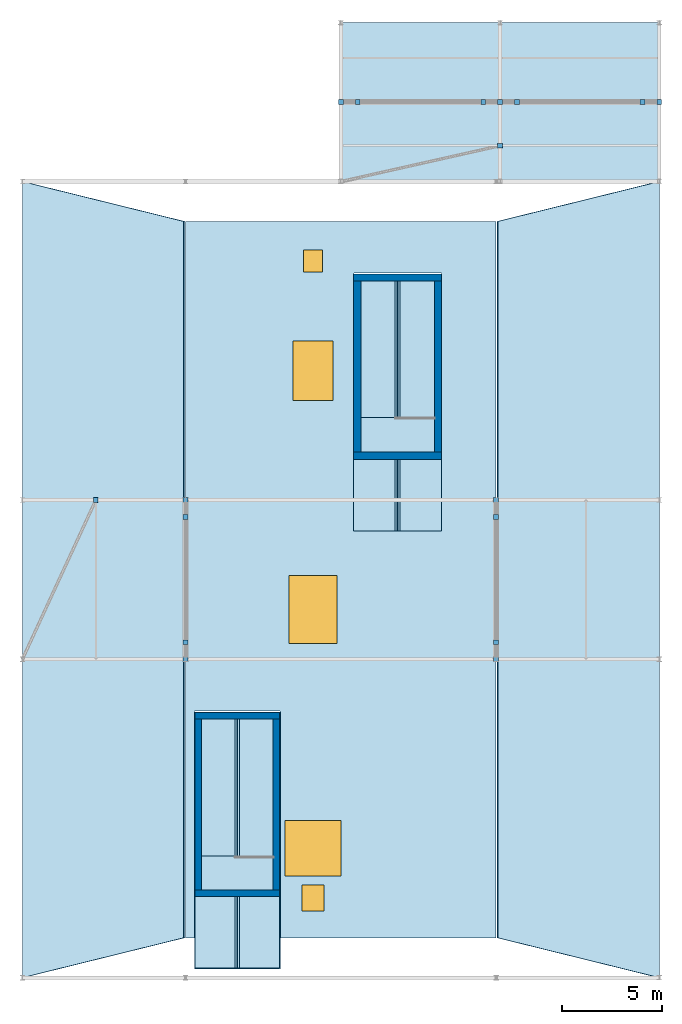
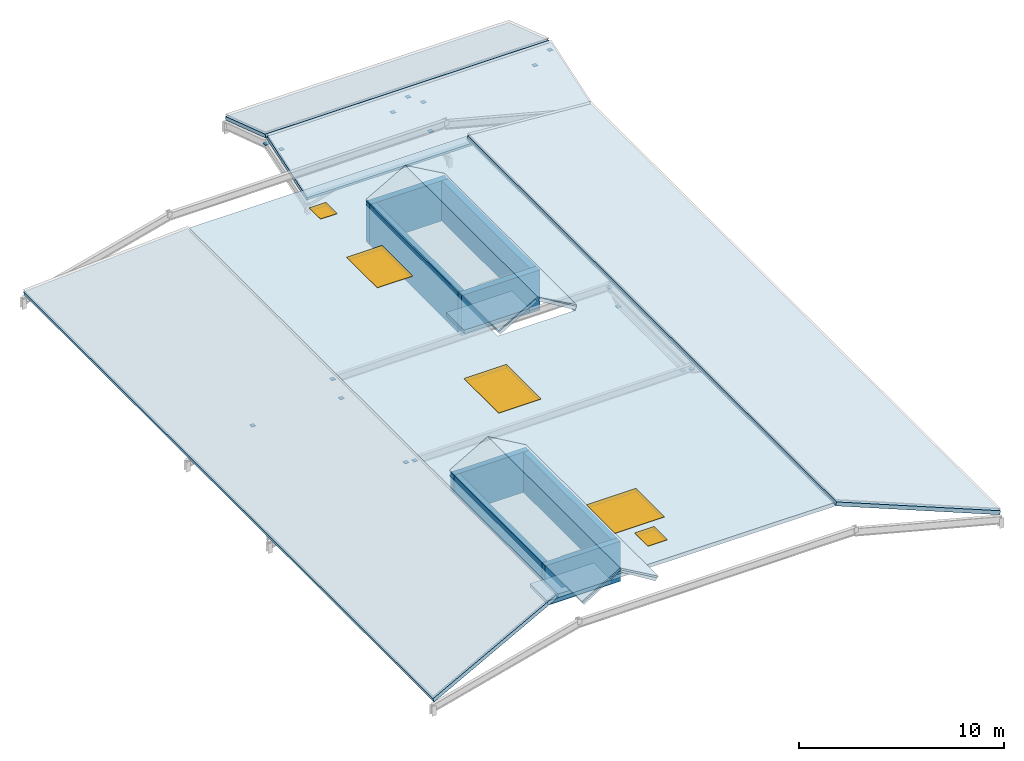
"""IFC4 building model written with IfcOpenShell, lengths in metres."""

from ifc_helpers import new_model, si_unit, direction, frame, frame_2d, origin, origin_2d, place, context, subcontext, project, spatial, polyline, rectangle, outline, extrude, material, layer, layer_set, type_object, element, fill, save


model = new_model("IFC4")

# Units and contexts
model_context = context("Model", 3, precision=1e-05, world=origin(), true_north=direction((0.0, 1.0)))
body_context = subcontext(model_context, "Body", "Model", "MODEL_VIEW")
ifc_project = project(units=[si_unit("LENGTHUNIT", "METRE"), si_unit("AREAUNIT", "SQUARE_METRE"), si_unit("VOLUMEUNIT", "CUBIC_METRE"), si_unit("PLANEANGLEUNIT", "RADIAN"), si_unit("MASSUNIT", "GRAM", prefix="KILO")], contexts=[model_context])

# Site, building, storey
site_placement = place(None, origin())
site = spatial("IfcSite", under=ifc_project, at=site_placement, CompositionType="ELEMENT")
building_placement = place(site_placement, origin())
building = spatial("IfcBuilding", under=site, at=building_placement, Name="Kenh Van Central Station", CompositionType="ELEMENT")
storey_1_placement = place(building_placement, frame((0.0, 0.0, 27.60009765625)))
storey_1 = spatial("IfcBuildingStorey", under=building, at=storey_1_placement, Name="RF", CompositionType="ELEMENT", Elevation=27.60009765625)

# Slabs
ifc_material_1 = material(Name="Concrete C35/45", Category="concrete")
ifc_layer_1 = layer(ifc_material_1, 0.22998046875, Name="Concrete C35/45")
ifc_layer_set_1 = layer_set([ifc_layer_1], Name="Concrete C35/45")
slab_type_1 = type_object("IfcSlabType", Name="SLB-LAND-230", PredefinedType="LANDING", material=ifc_layer_set_1)
slab_1_placement = place(storey_1_placement, frame((0.0, 0.0, -0.22998046875)))
element("IfcSlab", 1, at=slab_1_placement, inside=storey_1, type_object=slab_type_1, Name="RF ST-09 top arrival landing", PredefinedType="LANDING", context=body_context, shape_type="SweptSolid", body=[
    extrude(outline(polyline([(153.0, 28.39990234375), (156.60009765625, 28.39990234375), (156.60009765625, 30.10498046875), (153.0, 30.10498046875), (153.0, 28.39990234375)])), origin(), (0.0, 0.0, 1.0), 0.22998046875),
])
slab_2_placement = place(storey_1_placement, frame((0.0, 0.0, -0.22998046875)))
element("IfcSlab", 2, at=slab_2_placement, inside=storey_1, type_object=slab_type_1, Name="RF ST-10 top arrival landing", PredefinedType="LANDING", context=body_context, shape_type="SweptSolid", body=[
    extrude(outline(polyline([(161.0, 50.39990234375), (164.699951171875, 50.39990234375), (164.699951171875, 52.155029296875), (161.0, 52.155029296875), (161.0, 50.39990234375)])), origin(), (0.0, 0.0, 1.0), 0.22998046875),
])
ifc_layer_2 = layer(ifc_material_1, 0.18994140625, Name="Concrete C35/45")
ifc_layer_set_2 = layer_set([ifc_layer_2], Name="Concrete C35/45")
slab_type_2 = type_object("IfcSlabType", Name="SLB-ROOF-190", PredefinedType="ROOF", material=ifc_layer_set_2)
for number, where, z_axis, x_axis, name in (
    (3, (152.679931640625, 24.47998046875, 2.39990234375), (-0.529998940003, 0.0, 0.847998304005), (0.847998304005, 0.0, 0.529998940003), "RF CORE-09 bulkhead sloped roof slab W"),
    (4, (154.919921875, 24.47998046875, 3.64990234375), (0.529998940003, 0.0, 0.847998304005), (0.847998304005, 0.0, -0.529998940003), "RF CORE-09 bulkhead sloped roof slab E"),
):
    element("IfcSlab", number, at=place(storey_1_placement, frame(where, z_axis=z_axis, x_axis=x_axis)), inside=storey_1, type_object=slab_type_2, Name=name, PredefinedType="ROOF", context=body_context, shape_type="SweptSolid", body=[
        extrude(outline(polyline([(0.0, 0.0), (2.3584952830141512, 0.0), (2.3584952830141512, 12.840087890625004), (0.0, 12.840087890625004), (0.0, 0.0)])), origin(), (0.0, 0.0, -1.0), 0.18994140625),
    ])
for number, where, z_axis, x_axis, name in (
    (5, (160.639892578125, 46.43994140625, 2.39990234375), (-0.513271611896, 0.0, 0.858226224501), (0.858226224501, 0.0, 0.513271611896), "RF CORE-10 bulkhead sloped roof slab W"),
    (6, (162.969970703125, 46.43994140625, 3.64990234375), (0.513271611896, 0.0, 0.858226224501), (0.858226224501, 0.0, -0.513271611896), "RF CORE-10 bulkhead sloped roof slab E"),
):
    element("IfcSlab", number, at=place(storey_1_placement, frame(where, z_axis=z_axis, x_axis=x_axis)), inside=storey_1, type_object=slab_type_2, Name=name, PredefinedType="ROOF", context=body_context, shape_type="SweptSolid", body=[
        extrude(outline(polyline([(0.0, 0.0), (2.43535775411689, 0.0), (2.43535775411689, 12.920166015625), (0.0, 12.920166015625), (0.0, 0.0)])), origin(), (0.0, 0.0, -1.0), 0.18994140625),
    ])
ifc_layer_3 = layer(ifc_material_1, 0.205078125, Name="Concrete C35/45")
ifc_layer_set_3 = layer_set([ifc_layer_3], Name="Concrete C35/45")
slab_type_3 = type_object("IfcSlabType", Name="SLB-ROOF-205", PredefinedType="ROOF", material=ifc_layer_set_3)
for number, where, z_axis, x_axis, name in (
    (7, (160.0, 64.0, 0.0), (0.0, -0.316192131819, 0.948695175373), (1.0, 0.0, 0.0), "RF sloped roof RF-MNE-A"),
    (8, (160.0, 68.10009765625, 1.2998046875), (0.0, 0.316192131819, 0.948695175373), (1.0, 0.0, 0.0), "RF sloped roof RF-MNE-B"),
):
    element("IfcSlab", number, at=place(storey_1_placement, frame(where, z_axis=z_axis, x_axis=x_axis)), inside=storey_1, type_object=slab_type_3, Name=name, PredefinedType="ROOF", context=body_context, shape_type="SweptSolid", body=[
        extrude(outline(polyline([(0.0, 0.0), (16.0, 0.0), (16.0, 4.110806553029918), (0.0, 4.110806553029918), (0.0, 0.0)])), origin(), (0.0, 0.0, -1.0), 0.205078125),
    ])
ifc_layer_4 = layer(ifc_material_1, 0.22509765625, Name="Concrete C35/45")
ifc_layer_set_4 = layer_set([ifc_layer_4], Name="Concrete C35/45")
slab_type_4 = type_object("IfcSlabType", Name="SLB-ROOF-225", PredefinedType="ROOF", material=ifc_layer_set_4)
slab_3_placement = place(storey_1_placement, frame((144.0, 24.0, 0.0), z_axis=(-0.256534675287, 0.0, 0.966535028013), x_axis=(0.940134113964, 0.232129081367, 0.249527428042)))
element("IfcSlab", 9, at=slab_3_placement, inside=storey_1, type_object=slab_type_4, Name="RF sloped roof RF-MAIN-S", PredefinedType="ROOF", context=body_context, shape_type="SweptSolid", body=[
    extrude(outline(polyline([(0.0, 0.0), (8.615895898190068, 2.7755575615628914e-16), (16.972542827399707, 35.01665963652916), (9.285163254677379, 38.90739959614351), (0.0, 0.0)])), origin(), (0.0, 0.0, -1.0), 0.22509765625),
])
slab_4_placement = place(storey_1_placement, frame((167.89990234375, 26.0, 2.14990234375), z_axis=(0.256534675287, 0.0, 0.966535028013), x_axis=(0.940134113964, -0.232129081367, -0.249527428042)))
element("IfcSlab", 10, at=slab_4_placement, inside=storey_1, type_object=slab_type_4, Name="RF sloped roof RF-MAIN-N", PredefinedType="ROOF", context=body_context, shape_type="SweptSolid", body=[
    extrude(outline(polyline([(0.0, 0.0), (8.615895898190068, -2.7755575615628914e-16), (-0.669267356487308, 38.90739959614351), (-8.35664692920964, 35.01665963652916), (0.0, 0.0)])), origin(), (0.0, 0.0, -1.0), 0.22509765625),
])

# Slab, openings, doors
slab_5_placement = place(storey_1_placement, frame((0.0, 0.0, 1.9248046875)))
slab_5 = element("IfcSlab", 11, at=slab_5_placement, inside=storey_1, type_object=slab_type_4, Name="RF skylight crown deck RF-MAIN-CRN", PredefinedType="ROOF", context=body_context, shape_type="SweptSolid", body=[
    extrude(outline(polyline([(152.199951171875, 26.0), (167.800048828125, 26.0), (167.800048828125, 62.0), (152.199951171875, 62.0), (152.199951171875, 26.0)]), holes=[polyline([(152.64990234375, 26.39990234375), (152.64990234375, 37.39990234375), (156.949951171875, 37.39990234375), (156.949951171875, 26.39990234375), (152.64990234375, 26.39990234375)]), polyline([(160.64990234375, 46.5), (160.64990234375, 59.39990234375), (165.050048828125, 59.39990234375), (165.050048828125, 46.5), (160.64990234375, 46.5)])]), origin(), (0.0, 0.0, 1.0), 0.22509765625),
])
opening_1_placement = place(slab_5_placement, frame((158.60009765625, 30.5, 0.0)))
opening_1 = element("IfcOpeningElement", 12, at=opening_1_placement, cuts=slab_5, Name="Opening SK-02", PredefinedType="OPENING", context=body_context, shape_type="SweptSolid", body=[
    extrude(rectangle(XDim=2.800048828125, YDim=2.800048828125, at=origin_2d()), origin(), (0.0, 0.0, 1.0), 0.22509765625),
])
opening_2_placement = place(slab_5_placement, frame((158.60009765625, 42.5, 0.0)))
opening_2 = element("IfcOpeningElement", 13, at=opening_2_placement, cuts=slab_5, Name="Opening SK-03", PredefinedType="OPENING", context=body_context, shape_type="SweptSolid", body=[
    extrude(rectangle(XDim=2.39990234375, YDim=3.39990234375, at=origin_2d()), origin(), (0.0, 0.0, 1.0), 0.22509765625),
])
opening_3_placement = place(slab_5_placement, frame((158.60009765625, 54.5, 0.0)))
opening_3 = element("IfcOpeningElement", 14, at=opening_3_placement, cuts=slab_5, Name="Opening SK-04", PredefinedType="OPENING", context=body_context, shape_type="SweptSolid", body=[
    extrude(rectangle(XDim=2.0, YDim=3.0, at=origin_2d()), origin(), (0.0, 0.0, 1.0), 0.22509765625),
])
opening_4_placement = place(slab_5_placement, frame((158.60009765625, 60.0, 0.0)))
opening_4 = element("IfcOpeningElement", 15, at=opening_4_placement, cuts=slab_5, Name="Opening TD-2", PredefinedType="OPENING", context=body_context, shape_type="SweptSolid", body=[
    extrude(rectangle(XDim=0.949951171875, YDim=1.10009765625, at=origin_2d()), origin(), (0.0, 0.0, 1.0), 0.22509765625),
])
opening_5_placement = place(slab_5_placement, frame((158.60009765625, 28.0, 0.0)))
opening_5 = element("IfcOpeningElement", 16, at=opening_5_placement, cuts=slab_5, Name="Opening TD-3", PredefinedType="OPENING", context=body_context, shape_type="SweptSolid", body=[
    extrude(rectangle(XDim=1.10009765625, YDim=1.300048828125, at=origin_2d()), origin(), (0.0, 0.0, 1.0), 0.22509765625),
])
ifc_material_2 = material(Name="Champagne anodised aluminium", Category="aluminium")
door_type_1 = type_object("IfcDoorType", Name="DR-TRP-1100x1300", OperationType="SINGLE_SWING_LEFT", PredefinedType="TRAPDOOR", material=ifc_material_2)
door_1_placement = place(opening_5_placement, frame((0.0, 0.0, 0.175048828125)))
door_1 = element("IfcDoor", 17, at=door_1_placement, inside=storey_1, type_object=door_type_1, Name="RF roof access hatch 06", OperationType="SINGLE_SWING_LEFT", OverallHeight=1.300048828125, OverallWidth=1.10009765625, PredefinedType="TRAPDOOR", context=body_context, shape_type="SweptSolid", body=[
    extrude(rectangle(XDim=1.10009765625, YDim=1.300048828125, at=origin_2d()), origin(), (0.0, 0.0, 1.0), 0.050048828125),
])
fill(opening_5, door_1)
door_type_2 = type_object("IfcDoorType", Name="DR-TRP-950x1100", OperationType="SINGLE_SWING_LEFT", PredefinedType="TRAPDOOR", material=ifc_material_2)
door_2_placement = place(opening_4_placement, frame((0.0, 0.0, 0.175048828125)))
door_2 = element("IfcDoor", 18, at=door_2_placement, inside=storey_1, type_object=door_type_2, Name="RF roof access hatch 05", OperationType="SINGLE_SWING_LEFT", OverallHeight=1.10009765625, OverallWidth=0.949951171875, PredefinedType="TRAPDOOR", context=body_context, shape_type="SweptSolid", body=[
    extrude(rectangle(XDim=0.949951171875, YDim=1.10009765625, at=origin_2d()), origin(), (0.0, 0.0, 1.0), 0.050048828125),
])
fill(opening_4, door_2)

# Storey
storey_2_placement = place(building_placement, frame((0.0, 0.0, 23.39990234375)))
storey_2 = spatial("IfcBuildingStorey", under=building, at=storey_2_placement, Name="L05", CompositionType="ELEMENT", Elevation=23.39990234375)

# Window
ifc_material_3 = material(Name="Double-glazed low-E laminated solar glass", Category="glass")
window_type_1 = type_object("IfcWindowType", Name="SKY-OCU-2000x3000", PartitioningType="DOUBLE_PANEL_VERTICAL", PredefinedType="SKYLIGHT", material=ifc_material_3)
window_1_placement = place(opening_3_placement, frame((0.0, 0.0, 0.175048828125)))
window_1 = element("IfcWindow", 19, at=window_1_placement, inside=storey_2, type_object=window_type_1, Name="RF atrium skylight 12", OverallHeight=3.0, OverallWidth=2.0, PartitioningType="SINGLE_PANEL", PredefinedType="SKYLIGHT", context=body_context, shape_type="SweptSolid", body=[
    extrude(rectangle(XDim=2.0, YDim=3.0, at=origin_2d()), origin(), (0.0, 0.0, 1.0), 0.050048828125),
])

fill(opening_3, window_1)

window_type_2 = type_object("IfcWindowType", Name="SKY-OCU-2400x3400", PartitioningType="DOUBLE_PANEL_VERTICAL", PredefinedType="SKYLIGHT", material=ifc_material_3)
window_2_placement = place(opening_2_placement, frame((0.0, 0.0, 0.175048828125)))
window_2 = element("IfcWindow", 20, at=window_2_placement, inside=storey_2, type_object=window_type_2, Name="RF atrium skylight 11", OverallHeight=3.39990234375, OverallWidth=2.39990234375, PartitioningType="SINGLE_PANEL", PredefinedType="SKYLIGHT", context=body_context, shape_type="SweptSolid", body=[
    extrude(rectangle(XDim=2.39990234375, YDim=3.39990234375, at=origin_2d()), origin(), (0.0, 0.0, 1.0), 0.050048828125),
])

fill(opening_2, window_2)

window_type_3 = type_object("IfcWindowType", Name="SKY-OCU-2800x2800", PartitioningType="DOUBLE_PANEL_VERTICAL", PredefinedType="SKYLIGHT", material=ifc_material_3)
window_3_placement = place(opening_1_placement, frame((0.0, 0.0, 0.175048828125)))
window_3 = element("IfcWindow", 21, at=window_3_placement, inside=storey_2, type_object=window_type_3, Name="RF atrium skylight 10", OverallHeight=2.800048828125, OverallWidth=2.800048828125, PartitioningType="SINGLE_PANEL", PredefinedType="SKYLIGHT", context=body_context, shape_type="SweptSolid", body=[
    extrude(rectangle(XDim=2.800048828125, YDim=2.800048828125, at=origin_2d()), origin(), (0.0, 0.0, 1.0), 0.050048828125),
])

fill(opening_1, window_3)

# Walls
ifc_material_4 = material(Name="Concrete C40/50", Category="concrete")
ifc_layer_5 = layer(ifc_material_4, 0.320068359375, Name="Concrete C40/50")
ifc_layer_set_5 = layer_set([ifc_layer_5], Name="Concrete C40/50")
wall_type_1 = type_object("IfcWallType", Name="WL-CORE-320", PredefinedType="SHEAR", material=ifc_layer_set_5)
for number, where, z_axis, x_axis, name in (
    (22, (152.679931640625, 28.239990234375, 0.0), (0.0, 0.0, 1.0), (1.0, 0.0, 0.0), "RF CORE-09 bulkhead wall S"),
    (23, (152.679931640625, 37.159912109375, 0.0), (0.0, 0.0, 1.0), (1.0, 0.0, 0.0), "RF CORE-09 bulkhead wall N"),
):
    element("IfcWall", number, at=place(storey_1_placement, frame(where, z_axis=z_axis, x_axis=x_axis)), inside=storey_1, type_object=wall_type_1, Name=name, PredefinedType="SHEAR", context=body_context, shape_type="SweptSolid", body=[
        extrude(rectangle(XDim=4.239990234375, YDim=0.320068359375, at=frame_2d((2.1201171875, 0.0))), origin(), (0.0, 0.0, 1.0), 2.39990234375),
    ])
for number, where, z_axis, x_axis, name in (
    (24, (152.840087890625, 28.39990234375, 0.0), (0.0, 0.0, 1.0), (0.0, 1.0, 0.0), "RF CORE-09 bulkhead wall W"),
    (25, (156.760009765625, 28.39990234375, 0.0), (0.0, 0.0, 1.0), (0.0, 1.0, 0.0), "RF CORE-09 bulkhead wall E"),
):
    element("IfcWall", number, at=place(storey_1_placement, frame(where, z_axis=z_axis, x_axis=x_axis)), inside=storey_1, type_object=wall_type_1, Name=name, PredefinedType="SHEAR", context=body_context, shape_type="SweptSolid", body=[
        extrude(rectangle(XDim=8.60009765625, YDim=0.320068359375, at=frame_2d((4.300048828125, 0.0))), origin(), (0.0, 0.0, 1.0), 2.39990234375),
    ])
ifc_layer_6 = layer(ifc_material_4, 0.360107421875, Name="Concrete C40/50")
ifc_layer_set_6 = layer_set([ifc_layer_6], Name="Concrete C40/50")
wall_type_2 = type_object("IfcWallType", Name="WL-CORE-360", PredefinedType="SHEAR", material=ifc_layer_set_6)
for number, where, z_axis, x_axis, name in (
    (26, (160.639892578125, 50.219970703125, 0.0), (0.0, 0.0, 1.0), (1.0, 0.0, 0.0), "RF CORE-10 bulkhead wall S"),
    (27, (160.639892578125, 59.179931640625, 0.0), (0.0, 0.0, 1.0), (1.0, 0.0, 0.0), "RF CORE-10 bulkhead wall N"),
):
    element("IfcWall", number, at=place(storey_1_placement, frame(where, z_axis=z_axis, x_axis=x_axis)), inside=storey_1, type_object=wall_type_2, Name=name, PredefinedType="SHEAR", context=body_context, shape_type="SweptSolid", body=[
        extrude(rectangle(XDim=4.420166015625, YDim=0.360107421875, at=frame_2d((2.2099609375, 0.0))), origin(), (0.0, 0.0, 1.0), 2.39990234375),
    ])
for number, where, z_axis, x_axis, name in (
    (28, (160.820068359375, 50.39990234375, 0.0), (0.0, 0.0, 1.0), (0.0, 1.0, 0.0), "RF CORE-10 bulkhead wall W"),
    (29, (164.8798828125, 50.39990234375, 0.0), (0.0, 0.0, 1.0), (0.0, 1.0, 0.0), "RF CORE-10 bulkhead wall E"),
):
    element("IfcWall", number, at=place(storey_1_placement, frame(where, z_axis=z_axis, x_axis=x_axis)), inside=storey_1, type_object=wall_type_2, Name=name, PredefinedType="SHEAR", context=body_context, shape_type="SweptSolid", body=[
        extrude(rectangle(XDim=8.60009765625, YDim=0.360107421875, at=frame_2d((4.300048828125, 0.0))), origin(), (0.0, 0.0, 1.0), 2.39990234375),
    ])

# Roofs
ifc_material_5 = material(Name="Glazed terracotta roof tile", Category="masonry")
ifc_layer_7 = layer(ifc_material_5, 0.094970703125, Name="Glazed terracotta roof tile")
ifc_layer_set_7 = layer_set([ifc_layer_7], Name="Glazed terracotta roof tile")
roof_type = type_object("IfcRoofType", Name="ROOF-HIP-WING", PredefinedType="HIP_ROOF", material=ifc_layer_set_7)
roof_1_placement = place(storey_1_placement, frame((152.639892578125, 24.43994140625, 2.494873046875), z_axis=(-0.500851167559, 0.0, 0.865533423938), x_axis=(0.865533423938, 0.0, 0.500851167559)))
element("IfcRoof", 30, at=roof_1_placement, inside=storey_1, type_object=roof_type, Name="RF C09 bulkhead sloped hip roof W", PredefinedType="HIP_ROOF", context=body_context, shape_type="SweptSolid", body=[
    extrude(outline(polyline([(0.0, 0.0), (2.4957513947535044, 0.0), (2.4957513947535044, 12.920166015625), (0.0, 12.920166015625), (0.0, 0.0)])), origin(), (0.0, 0.0, -1.0), 0.094970703125),
])
roof_2_placement = place(storey_1_placement, frame((154.800048828125, 24.43994140625, 3.744873046875), z_axis=(0.500893576935, 0.0, 0.865508881864), x_axis=(0.865508881864, 0.0, -0.500893576935)))
element("IfcRoof", 31, at=roof_2_placement, inside=storey_1, type_object=roof_type, Name="RF C09 bulkhead sloped hip roof E", PredefinedType="HIP_ROOF", context=body_context, shape_type="SweptSolid", body=[
    extrude(outline(polyline([(0.0, 0.0), (2.495540085878158, 0.0), (2.495540085878158, 12.920166015625), (0.0, 12.920166015625), (0.0, 0.0)])), origin(), (0.0, 0.0, -1.0), 0.094970703125),
])
roof_3_placement = place(storey_1_placement, frame((160.639892578125, 46.43994140625, 2.494873046875), z_axis=(-0.492282184504, 0.0, 0.870435667249), x_axis=(0.870435667249, 0.0, 0.492282184504)))
element("IfcRoof", 32, at=roof_3_placement, inside=storey_1, type_object=roof_type, Name="RF C10 bulkhead sloped hip roof W", PredefinedType="HIP_ROOF", context=body_context, shape_type="SweptSolid", body=[
    extrude(outline(polyline([(0.0, 0.0), (2.5391940625658247, 0.0), (2.5391940625658247, 12.920166015625), (0.0, 12.920166015625), (0.0, 0.0)])), origin(), (0.0, 0.0, -1.0), 0.094970703125),
])
roof_4_placement = place(storey_1_placement, frame((162.85009765625, 46.43994140625, 3.744873046875), z_axis=(0.492323387187, 0.0, 0.87041236344), x_axis=(0.87041236344, 0.0, -0.492323387187)))
element("IfcRoof", 33, at=roof_4_placement, inside=storey_1, type_object=roof_type, Name="RF C10 bulkhead sloped hip roof E", PredefinedType="HIP_ROOF", context=body_context, shape_type="SweptSolid", body=[
    extrude(outline(polyline([(0.0, 0.0), (2.5389815567025846, 0.0), (2.5389815567025846, 12.920166015625004), (0.0, 12.920166015625004), (0.0, 0.0)])), origin(), (0.0, 0.0, -1.0), 0.094970703125),
])

# Discrete accessories
ifc_material_6 = material(Name="Structural steel S355JR", Category="steel")
discrete_accessory_type = type_object("IfcDiscreteAccessoryType", Name="ACC-END-NODE", PredefinedType="BRACKET", material=ifc_material_6)
for number, where, z_axis, x_axis, name in (
    (34, (147.68994140625, 48.0, 0.439453125), (0.0, 0.0, 1.0), (1.0, 0.0, 0.0), "RF brace end connection node plate 0418"),
    (35, (152.199951171875, 40.85009765625, 1.001953125), (0.0, 0.0, 1.0), (1.0, 0.0, 0.0), "RF brace end connection node plate 0419"),
    (36, (152.199951171875, 47.14990234375, 1.001953125), (0.0, 0.0, 1.0), (1.0, 0.0, 0.0), "RF brace end connection node plate 0420"),
    (37, (152.199951171875, 40.0, 1.621826171875), (0.0, 0.0, 1.0), (1.0, 0.0, 0.0), "RF brace end connection node plate 0421"),
    (38, (152.199951171875, 48.0, 1.621826171875), (0.0, 0.0, 1.0), (1.0, 0.0, 0.0), "RF brace end connection node plate 0422"),
    (39, (167.800048828125, 40.85009765625, 1.001953125), (0.0, 0.0, 1.0), (1.0, 0.0, 0.0), "RF brace end connection node plate 0423"),
    (40, (167.800048828125, 47.14990234375, 1.001953125), (0.0, 0.0, 1.0), (1.0, 0.0, 0.0), "RF brace end connection node plate 0424"),
    (41, (167.800048828125, 40.0, 1.621826171875), (0.0, 0.0, 1.0), (1.0, 0.0, 0.0), "RF brace end connection node plate 0425"),
    (42, (167.800048828125, 48.0, 1.621826171875), (0.0, 0.0, 1.0), (1.0, 0.0, 0.0), "RF brace end connection node plate 0426"),
    (43, (168.0, 65.800048828125, 0.069091796875), (0.0, 0.0, 1.0), (1.0, 0.0, 0.0), "RF brace end connection node plate 0428"),
    (44, (160.85009765625, 68.0, 0.1640625), (0.0, 0.0, 1.0), (1.0, 0.0, 0.0), "RF brace end connection node plate 0429"),
    (45, (175.14990234375, 68.0, 0.1640625), (0.0, 0.0, 1.0), (1.0, 0.0, 0.0), "RF brace end connection node plate 0430"),
    (46, (160.0, 68.0, 0.7841796875), (0.0, 0.0, 1.0), (1.0, 0.0, 0.0), "RF brace end connection node plate 0431"),
    (47, (167.14990234375, 68.0, 0.1640625), (0.0, 0.0, 1.0), (1.0, 0.0, 0.0), "RF brace end connection node plate 0432"),
    (48, (168.0, 68.0, 0.7841796875), (0.0, 0.0, 1.0), (1.0, 0.0, 0.0), "RF brace end connection node plate 0433"),
    (49, (168.85009765625, 68.0, 0.1640625), (0.0, 0.0, 1.0), (1.0, 0.0, 0.0), "RF brace end connection node plate 0434"),
    (50, (176.0, 68.0, 0.7841796875), (0.0, 0.0, 1.0), (1.0, 0.0, 0.0), "RF brace end connection node plate 0435"),
):
    element("IfcDiscreteAccessory", number, at=place(storey_1_placement, frame(where, z_axis=z_axis, x_axis=x_axis)), inside=storey_1, type_object=discrete_accessory_type, Name=name, PredefinedType="BRACKET", context=body_context, shape_type="SweptSolid", body=[
        extrude(rectangle(XDim=0.239990234375, YDim=0.239990234375, at=origin_2d()), origin(), (0.0, 0.0, 1.0), 0.02490234375),
    ])

save(model, "model.ifc")
